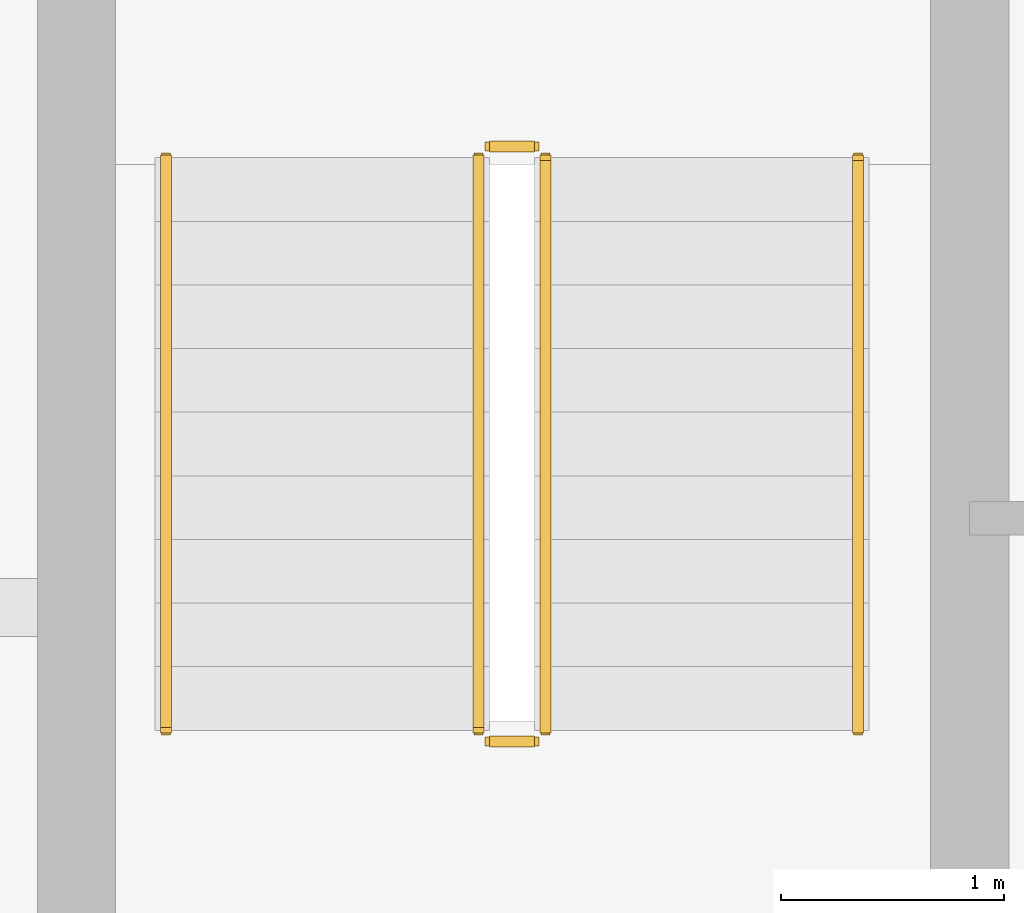
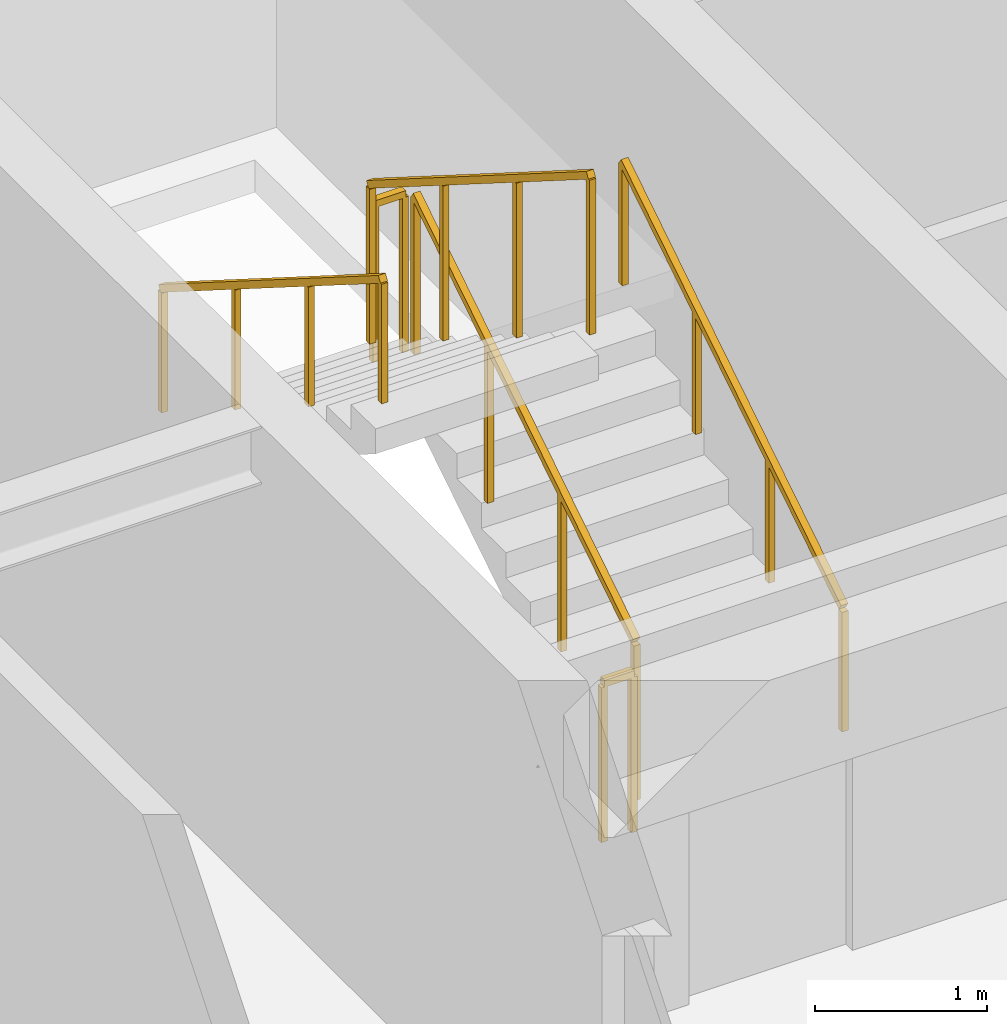
# One storey, part 21 of 23: 6 railings.
"""IFC4 building model written with IfcOpenShell, lengths in metres."""

from ifc_helpers import new_model, si_unit, direction, frame, origin, origin_2d, place, context, subcontext, project, spatial, rectangle, extrude, material, type_object, element, save


model = new_model("IFC4")

# Units and contexts
model_context = context("Model", 3, precision=1e-05, world=origin(), true_north=direction((0.0, 1.0)))
body_context = subcontext(model_context, "Body", "Model", "MODEL_VIEW")
ifc_project = project(units=[si_unit("LENGTHUNIT", "METRE"), si_unit("AREAUNIT", "SQUARE_METRE"), si_unit("VOLUMEUNIT", "CUBIC_METRE"), si_unit("PLANEANGLEUNIT", "RADIAN"), si_unit("MASSUNIT", "GRAM", prefix="KILO")], contexts=[model_context])

# Site, building, storey
site_placement = place(None, origin())
site = spatial("IfcSite", under=ifc_project, at=site_placement, CompositionType="ELEMENT")
building_placement = place(site_placement, origin())
building = spatial("IfcBuilding", under=site, at=building_placement, Name="Sarneth Arch Tower", CompositionType="ELEMENT")
storey_placement = place(building_placement, frame((0.0, 0.0, 280.199951171875)))
storey = spatial("IfcBuildingStorey", under=building, at=storey_placement, Name="L72", CompositionType="ELEMENT", Elevation=280.199951171875)

# Railings
ifc_material_1 = material(Name="Brushed Stainless Steel 304 tubular handrail", Category="steel")
railing_type_1 = type_object("IfcRailingType", Name="RAIL-HANDRAIL-900", PredefinedType="HANDRAIL", material=ifc_material_1)
railing_1_placement = place(storey_placement, frame((40.5, 41.449951171875, 0.179931640625)))
element("IfcRailing", 1, at=railing_1_placement, inside=storey, type_object=railing_type_1, Name="L72 ST-1 stair handrail 1", PredefinedType="HANDRAIL", context=body_context, shape_type="SweptSolid", body=[
    extrude(rectangle(XDim=0.048095703125, YDim=0.048095703125, at=origin_2d()), frame((0.0, 0.0, 0.8759765625), z_axis=(0.0, 0.845465955043, 0.534029323973), x_axis=(-1.0, 0.0, 0.0)), (0.0, 0.0, 1.0), 3.03369140625),
    extrude(rectangle(XDim=0.0419921875, YDim=0.0419921875, at=origin_2d()), origin(), (0.0, 0.0, 1.0), 0.851806640625),
    extrude(rectangle(XDim=0.0419921875, YDim=0.0419921875, at=origin_2d()), frame((0.0, 0.85498046875, 0.5400390625)), (0.0, 0.0, 1.0), 0.851806640625),
    extrude(rectangle(XDim=0.0419921875, YDim=0.0419921875, at=origin_2d()), frame((0.0, 1.7099609375, 1.080078125)), (0.0, 0.0, 1.0), 0.851806640625),
    extrude(rectangle(XDim=0.0419921875, YDim=0.0419921875, at=origin_2d()), frame((0.0, 2.56494140625, 1.6201171875)), (0.0, 0.0, 1.0), 0.851806640625),
])
railing_2_placement = place(storey_placement, frame((37.39990234375, 44.014892578125, 1.97998046875)))
element("IfcRailing", 2, at=railing_2_placement, inside=storey, type_object=railing_type_1, Name="L72 ST-1 stair handrail 2", PredefinedType="HANDRAIL", context=body_context, shape_type="SweptSolid", body=[
    extrude(rectangle(XDim=0.048095703125, YDim=0.048095703125, at=origin_2d()), frame((0.0, 0.0, 0.8759765625), z_axis=(0.0, -0.845465955043, 0.534029323973), x_axis=(1.0, 0.0, 0.0)), (0.0, 0.0, 1.0), 3.03369140625),
    extrude(rectangle(XDim=0.0419921875, YDim=0.0419921875, at=origin_2d()), origin(), (0.0, 0.0, 1.0), 0.851806640625),
    extrude(rectangle(XDim=0.0419921875, YDim=0.0419921875, at=origin_2d()), frame((0.0, -0.85498046875, 0.5400390625)), (0.0, 0.0, 1.0), 0.851806640625),
    extrude(rectangle(XDim=0.0419921875, YDim=0.0419921875, at=origin_2d()), frame((0.0, -1.7099609375, 1.080078125)), (0.0, 0.0, 1.0), 0.851806640625),
    extrude(rectangle(XDim=0.0419921875, YDim=0.0419921875, at=origin_2d()), frame((0.0, -2.56494140625, 1.6201171875)), (0.0, 0.0, 1.0), 0.851806640625),
])
ifc_material_2 = material(Name="Painted Steel S275 stair well guard", Category="steel")
railing_type_2 = type_object("IfcRailingType", Name="RAIL-STAIR-GUARD", PredefinedType="GUARDRAIL", material=ifc_material_2)
railing_3_placement = place(storey_placement, frame((39.10009765625, 41.449951171875, 0.179931640625)))
element("IfcRailing", 3, at=railing_3_placement, inside=storey, type_object=railing_type_2, Name="L72 ST-1 stair guard 1", PredefinedType="GUARDRAIL", context=body_context, shape_type="SweptSolid", body=[
    extrude(rectangle(XDim=0.048095703125, YDim=0.048095703125, at=origin_2d()), frame((0.0, 0.0, 1.1259765625), z_axis=(0.0, 0.845465955043, 0.534029323973), x_axis=(-1.0, 0.0, 0.0)), (0.0, 0.0, 1.0), 3.03369140625),
    extrude(rectangle(XDim=0.0419921875, YDim=0.0419921875, at=origin_2d()), origin(), (0.0, 0.0, 1.0), 1.101806640625),
    extrude(rectangle(XDim=0.0419921875, YDim=0.0419921875, at=origin_2d()), frame((0.0, 0.85498046875, 0.5400390625)), (0.0, 0.0, 1.0), 1.101806640625),
    extrude(rectangle(XDim=0.0419921875, YDim=0.0419921875, at=origin_2d()), frame((0.0, 1.7099609375, 1.080078125)), (0.0, 0.0, 1.0), 1.101806640625),
    extrude(rectangle(XDim=0.0419921875, YDim=0.0419921875, at=origin_2d()), frame((0.0, 2.56494140625, 1.6201171875)), (0.0, 0.0, 1.0), 1.101806640625),
])
railing_4_placement = place(storey_placement, frame((39.050048828125, 44.06494140625, 1.800048828125)))
element("IfcRailing", 4, at=railing_4_placement, inside=storey, type_object=railing_type_2, Name="L72 ST-1 stair guard 2", PredefinedType="GUARDRAIL", context=body_context, shape_type="SweptSolid", body=[
    extrude(rectangle(XDim=0.048095703125, YDim=0.048095703125, at=origin_2d()), frame((0.0, 0.0, 1.1259765625), z_axis=(-1.0, 0.0, 0.0), x_axis=(0.0, -1.0, 0.0)), (0.0, 0.0, 1.0), 0.199951171875),
    extrude(rectangle(XDim=0.0419921875, YDim=0.0419921875, at=origin_2d()), origin(), (0.0, 0.0, 1.0), 1.101806640625),
    extrude(rectangle(XDim=0.0419921875, YDim=0.0419921875, at=origin_2d()), frame((-0.199951171875, 0.0, 0.0)), (0.0, 0.0, 1.0), 1.101806640625),
])
railing_5_placement = place(storey_placement, frame((38.800048828125, 44.014892578125, 1.97998046875)))
element("IfcRailing", 5, at=railing_5_placement, inside=storey, type_object=railing_type_2, Name="L72 ST-1 stair guard 3", PredefinedType="GUARDRAIL", context=body_context, shape_type="SweptSolid", body=[
    extrude(rectangle(XDim=0.048095703125, YDim=0.048095703125, at=origin_2d()), frame((0.0, 0.0, 1.1259765625), z_axis=(0.0, -0.845465955043, 0.534029323973), x_axis=(1.0, 0.0, 0.0)), (0.0, 0.0, 1.0), 3.03369140625),
    extrude(rectangle(XDim=0.0419921875, YDim=0.0419921875, at=origin_2d()), origin(), (0.0, 0.0, 1.0), 1.101806640625),
    extrude(rectangle(XDim=0.0419921875, YDim=0.0419921875, at=origin_2d()), frame((0.0, -0.85498046875, 0.5400390625)), (0.0, 0.0, 1.0), 1.101806640625),
    extrude(rectangle(XDim=0.0419921875, YDim=0.0419921875, at=origin_2d()), frame((0.0, -1.7099609375, 1.080078125)), (0.0, 0.0, 1.0), 1.101806640625),
    extrude(rectangle(XDim=0.0419921875, YDim=0.0419921875, at=origin_2d()), frame((0.0, -2.56494140625, 1.6201171875)), (0.0, 0.0, 1.0), 1.101806640625),
])
railing_6_placement = place(storey_placement, frame((39.050048828125, 41.39990234375, 0.0)))
element("IfcRailing", 6, at=railing_6_placement, inside=storey, type_object=railing_type_2, Name="L72 ST-1 stair guard 4", PredefinedType="GUARDRAIL", context=body_context, shape_type="SweptSolid", body=[
    extrude(rectangle(XDim=0.048095703125, YDim=0.048095703125, at=origin_2d()), frame((0.0, 0.0, 1.1259765625), z_axis=(-1.0, 0.0, 0.0), x_axis=(0.0, -1.0, 0.0)), (0.0, 0.0, 1.0), 0.199951171875),
    extrude(rectangle(XDim=0.0419921875, YDim=0.0419921875, at=origin_2d()), origin(), (0.0, 0.0, 1.0), 1.101806640625),
    extrude(rectangle(XDim=0.0419921875, YDim=0.0419921875, at=origin_2d()), frame((-0.199951171875, 0.0, 0.0)), (0.0, 0.0, 1.0), 1.101806640625),
])

save(model, "model.ifc")
